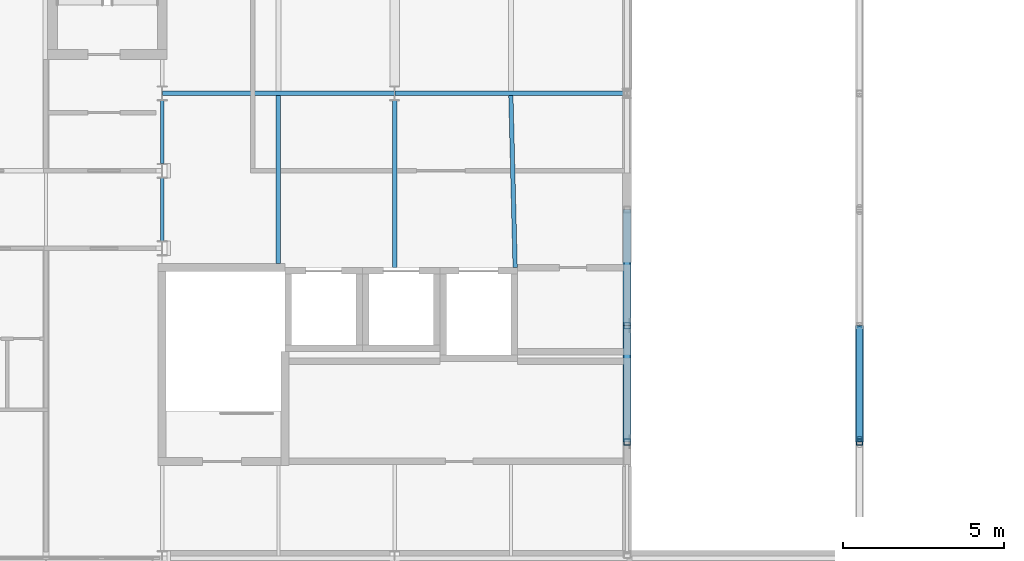
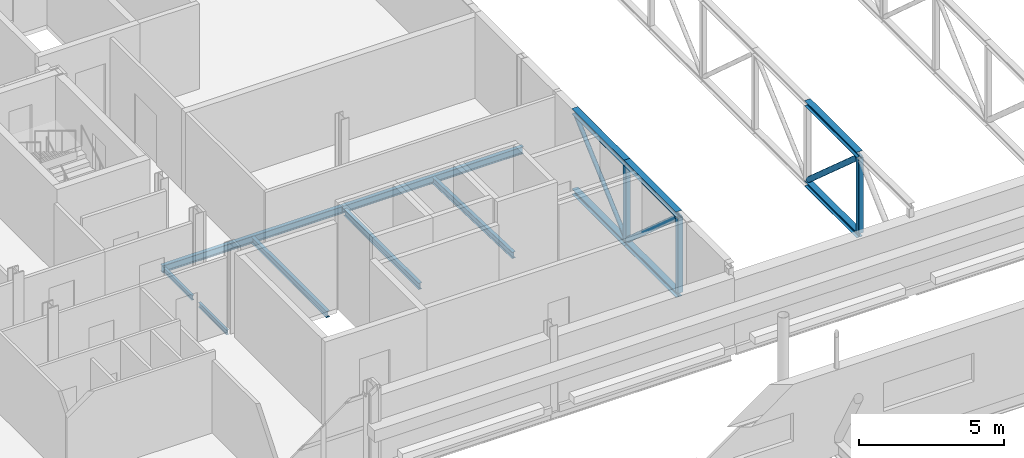
# One storey, part 73 of 142: 12 members, 7 beams.
"""IFC4 building model written with IfcOpenShell, lengths in metres."""

import ifcopenshell
import ifcopenshell.guid

model = None  # the IFC model being written
_history = None  # IfcOwnerHistory: only IFC2X3 demands one
_inside = {}  # id of a spatial element -> (the spatial element, [elements in it])
_under = {}  # id of a project, library or spatial element -> (it, [spatial elements below it])
_declared = {}  # id of a project -> (the project, [libraries it declares])
_typed = {}  # id of a type object -> (the type object, [elements of that type])
_made_of = {}  # id of a material, layer set ... -> (it, [elements and type objects made of it])


def new_model(schema):
    """Start an empty IFC model of exactly this schema.

    Asked for "IFC4X3", IfcOpenShell would pick the latest addendum, in which some entities
    have other attributes; the version numbers below select the first issue.
    IFC2X3 requires an IfcOwnerHistory on every rooted entity: one is made here for all.
    """
    global model, _history
    if schema == "IFC4X3":
        model = ifcopenshell.file(schema_version=(4, 3, 0, 0))
    else:
        model = ifcopenshell.file(schema=schema)
    _inside.clear()
    _under.clear()
    _declared.clear()
    _typed.clear()
    _made_of.clear()
    _history = None
    if model.schema == "IFC2X3":
        org = make("IfcOrganization", Name="unknown")
        user = make(
            "IfcPersonAndOrganization",
            ThePerson=make("IfcPerson", FamilyName="unknown"),
            TheOrganization=org,
        )
        app = make(
            "IfcApplication",
            ApplicationDeveloper=org,
            Version="unknown",
            ApplicationFullName="unknown",
            ApplicationIdentifier="unknown",
        )
        _history = make(
            "IfcOwnerHistory",
            OwningUser=user,
            OwningApplication=app,
            ChangeAction="ADDED",
            CreationDate=0,
        )
    return model


def make(cls, **values):
    """One entity of the class cls with the attributes given. An attribute that is None is left unset."""
    return model.create_entity(
        cls, **{name: value for name, value in values.items() if value is not None}
    )


def rooted(cls, **values):
    """An entity with a GlobalId (a new one), such as an element, a storey or a relation."""
    return make(cls, GlobalId=ifcopenshell.guid.new(), OwnerHistory=_history, **values)


def si_unit(unit_type, name, prefix=None):
    """IfcSIUnit, for example si_unit("LENGTHUNIT", "METRE", prefix="MILLI")."""
    return make("IfcSIUnit", UnitType=unit_type, Prefix=prefix, Name=name)


def assignment(units):
    """IfcUnitAssignment: the units of a project."""
    return None if units is None else make("IfcUnitAssignment", Units=units)


def point(xyz):
    """IfcCartesianPoint."""
    return None if xyz is None else make("IfcCartesianPoint", Coordinates=xyz)


def direction(xyz):
    """IfcDirection."""
    return None if xyz is None else make("IfcDirection", DirectionRatios=xyz)


def frame(location, z_axis=None, x_axis=None):
    """IfcAxis2Placement3D, a coordinate frame: its origin and axes. An axis left out is left unset."""
    return make(
        "IfcAxis2Placement3D",
        Location=point(location),
        Axis=direction(z_axis),
        RefDirection=direction(x_axis),
    )


def frame_2d(location, x_axis=None):
    """IfcAxis2Placement2D, a coordinate frame in the plane: its origin and x axis."""
    return make(
        "IfcAxis2Placement2D", Location=point(location), RefDirection=direction(x_axis)
    )


def origin():
    """The frame at (0, 0, 0) with its axes left unset."""
    return frame((0.0, 0.0, 0.0))


def origin_2d():
    """The frame at (0, 0) in the plane with its x axis left unset."""
    return frame_2d((0.0, 0.0))


def place(relative_to, where):
    """IfcLocalPlacement: puts the frame where relative to a parent placement (None: the world)."""
    return make(
        "IfcLocalPlacement", PlacementRelTo=relative_to, RelativePlacement=where
    )


def context(
    kind, dimensions, precision=None, world=None, true_north=None, identifier=None
):
    """IfcGeometricRepresentationContext, for example the 3D "Model" context."""
    return make(
        "IfcGeometricRepresentationContext",
        ContextIdentifier=identifier,
        ContextType=kind,
        CoordinateSpaceDimension=dimensions,
        Precision=precision,
        WorldCoordinateSystem=world,
        TrueNorth=true_north,
    )


def subcontext(parent, identifier, kind, view, scale=None):
    """IfcGeometricRepresentationSubContext, for example "Body" below "Model"."""
    return make(
        "IfcGeometricRepresentationSubContext",
        ContextIdentifier=identifier,
        ContextType=kind,
        ParentContext=parent,
        TargetScale=scale,
        TargetView=view,
    )


def project(units=None, contexts=None):
    """IfcProject with its units and contexts."""
    return rooted(
        "IfcProject",
        Name="project",
        RepresentationContexts=contexts,
        UnitsInContext=assignment(units),
    )


def spatial(cls, under=None, at=None, **own):
    """A site, building, storey or space (cls), placed at a placement, below another one or the project."""
    s = rooted(cls, ObjectPlacement=at, **own)
    if under is not None:
        _under.setdefault(under.id(), (under, []))[1].append(s)
    return s


def profile(cls, at=None, kind="AREA", **sizes):
    """A parametric profile (cls). Its sizes go by their IFC names, for example OverallWidth=200.0."""
    return make(cls, ProfileType=kind, Position=at, **sizes)


def hollow_rectangle(**sizes):
    """IfcRectangleHollowProfileDef."""
    return profile("IfcRectangleHollowProfileDef", **sizes)


def hollow_circle(**sizes):
    """IfcCircleHollowProfileDef."""
    return profile("IfcCircleHollowProfileDef", **sizes)


def i_section(**sizes):
    """IfcIShapeProfileDef."""
    return profile("IfcIShapeProfileDef", **sizes)


def extrude(swept, where, along, depth):
    """IfcExtrudedAreaSolid: the profile swept, set in the frame where, extruded along a direction by depth."""
    return make(
        "IfcExtrudedAreaSolid",
        SweptArea=swept,
        Position=where,
        ExtrudedDirection=direction(along),
        Depth=depth,
    )


def shape(context_of_items, identifier, shape_type, items):
    """IfcShapeRepresentation: the items that make up one representation, for example the "Body"."""
    return make(
        "IfcShapeRepresentation",
        ContextOfItems=context_of_items,
        RepresentationIdentifier=identifier,
        RepresentationType=shape_type,
        Items=items,
    )


def material(Name=None, Category=None):
    """IfcMaterial."""
    return make("IfcMaterial", Name=Name, Category=Category)


def material_profile(
    of_material, cross_section, Name=None, Category=None, Priority=None
):
    """IfcMaterialProfile: a cross section and its material."""
    return make(
        "IfcMaterialProfile",
        Name=Name,
        Material=of_material,
        Profile=cross_section,
        Priority=Priority,
        Category=Category,
    )


def profile_set(profiles, Name=None, composite=None):
    """IfcMaterialProfileSet."""
    return make(
        "IfcMaterialProfileSet",
        Name=Name,
        MaterialProfiles=profiles,
        CompositeProfile=composite,
    )


def made_of(thing, what):
    """Note that an element or type object is made of a material, layer set ...; save() writes the relation."""
    if what is not None:
        _made_of.setdefault(what.id(), (what, []))[1].append(thing)
    return thing


def type_object(cls, material=None, **own):
    """A type object (cls), such as IfcWallType, which elements share."""
    return made_of(rooted(cls, **own), material)


def element(
    cls,
    number,
    at=None,
    inside=None,
    cuts=None,
    type_object=None,
    material=None,
    context=None,
    identifier="Body",
    shape_type=None,
    held_by="IfcProductDefinitionShape",
    body=None,
    shapes=None,
    **own,
):
    """One element of the class cls, such as IfcWall. Its Tag is "e" and its number.

    at: its placement. inside: the storey or other place that contains it. cuts: it is an
    opening in that element (IfcRelVoidsElement). A single representation is given by context,
    identifier, shape_type and body (its items); several are given by shapes. held_by: the class
    of the entity that holds the representations. save() writes the other relations.
    """
    e = rooted(cls, Tag="e%d" % number, ObjectPlacement=at, **own)
    if body is not None:
        shapes = [shape(context, identifier, shape_type, body)]
    if shapes is not None:
        e.Representation = make(held_by, Representations=shapes)
    if inside is not None:
        _inside.setdefault(inside.id(), (inside, []))[1].append(e)
    if cuts is not None:
        rooted(
            "IfcRelVoidsElement", RelatingBuildingElement=cuts, RelatedOpeningElement=e
        )
    if type_object is not None:
        _typed.setdefault(type_object.id(), (type_object, []))[1].append(e)
    return made_of(e, material)


def aggregate(whole, parts):
    """IfcRelAggregates: a whole, such as a stair, and the parts it consists of."""
    return rooted("IfcRelAggregates", RelatingObject=whole, RelatedObjects=parts)


def save(model, path):
    """Write the relations noted so far, then the file.

    IfcRelAggregates (storeys below a building ...), IfcRelContainedInSpatialStructure (elements
    in a storey), IfcRelDefinesByType, IfcRelAssociatesMaterial and IfcRelDeclares: one each for
    every whole, place, type object, material and project.
    """
    for whole, parts in _under.values():
        aggregate(whole, parts)
    for where, things in _inside.values():
        rooted(
            "IfcRelContainedInSpatialStructure",
            RelatedElements=things,
            RelatingStructure=where,
        )
    for kind, things in _typed.values():
        rooted("IfcRelDefinesByType", RelatedObjects=things, RelatingType=kind)
    for what, things in _made_of.values():
        rooted("IfcRelAssociatesMaterial", RelatedObjects=things, RelatingMaterial=what)
    for by, libraries in _declared.values():
        rooted("IfcRelDeclares", RelatingContext=by, RelatedDefinitions=libraries)
    model.write(path)


model = new_model("IFC4")

# Units and contexts
model_context = context("Model", 3, precision=1e-05, world=origin(), true_north=direction((0.0, 1.0)))
body_context = subcontext(model_context, "Body", "Model", "MODEL_VIEW")
ifc_project = project(units=[si_unit("LENGTHUNIT", "METRE"), si_unit("AREAUNIT", "SQUARE_METRE"), si_unit("VOLUMEUNIT", "CUBIC_METRE"), si_unit("PLANEANGLEUNIT", "RADIAN"), si_unit("MASSUNIT", "GRAM", prefix="KILO")], contexts=[model_context])

# Site, building, storey
site_placement = place(None, origin())
site = spatial("IfcSite", under=ifc_project, at=site_placement, CompositionType="ELEMENT")
building_placement = place(site_placement, origin())
building = spatial("IfcBuilding", under=site, at=building_placement, Name="Kupolbacken Congress Centre", CompositionType="ELEMENT")
storey_placement = place(building_placement, frame((0.0, 0.0, 14.39990234375)))
storey = spatial("IfcBuildingStorey", under=building, at=storey_placement, Name="L04", CompositionType="ELEMENT", Elevation=14.39990234375)

# Beams
ifc_material_1 = material(Name="Steel S355", Category="steel")
ifc_material_profile_1 = material_profile(ifc_material_1, i_section(OverallWidth=0.10009765625, OverallDepth=0.199951171875, WebThickness=0.005615234375, FlangeThickness=0.008544921875, FilletRadius=0.011962890625, at=origin_2d()), Name="IPE 200")
ifc_profile_set_1 = profile_set([ifc_material_profile_1], Name="Steel S355")
beam_type_1 = type_object("IfcBeamType", Name="B01 beam IPE 200", PredefinedType="BEAM", material=ifc_profile_set_1)
for number, where, z_axis, x_axis, name in (
    (1, (136.800048828125, 132.22509765625, -0.239990234375), (0.0, 1.0, 0.0), (-1.0, 0.0, 0.0), "S/floor/T/L04/S077"),
    (2, (136.800048828125, 134.625, -0.239990234375), (0.0, 1.0, 0.0), (-1.0, 0.0, 0.0), "S/floor/T/L04/S078"),
):
    element("IfcBeam", number, at=place(storey_placement, frame(where, z_axis=z_axis, x_axis=x_axis)), inside=storey, type_object=beam_type_1, Name=name, PredefinedType="BEAM", context=body_context, shape_type="SweptSolid", body=[
        extrude(i_section(OverallWidth=0.10009765625, OverallDepth=0.199951171875, WebThickness=0.005615234375, FlangeThickness=0.008544921875, FilletRadius=0.011962890625, at=origin_2d()), origin(), (0.0, 0.0, 1.0), 1.949951171875),
    ])
ifc_material_2 = material(Name="Steel S355", Category="steel")
ifc_material_profile_2 = material_profile(ifc_material_2, i_section(OverallWidth=0.135009765625, OverallDepth=0.27001953125, WebThickness=0.006591796875, FlangeThickness=0.01025390625, FilletRadius=0.014892578125, at=origin_2d()), Name="IPE 270")
ifc_profile_set_2 = profile_set([ifc_material_profile_2], Name="Steel S355")
beam_type_2 = type_object("IfcBeamType", Name="B03 beam IPE 270", PredefinedType="BEAM", material=ifc_profile_set_2)
beam_1_placement = place(storey_placement, frame((144.0, 131.39990234375, -0.31494140625), z_axis=(0.0, 1.0, 0.0), x_axis=(-1.0, 0.0, 0.0)))
element("IfcBeam", 3, at=beam_1_placement, inside=storey, type_object=beam_type_2, Name="S/floor/BF/L04/G003", PredefinedType="BEAM", context=body_context, shape_type="SweptSolid", body=[
    extrude(i_section(OverallWidth=0.135009765625, OverallDepth=0.27001953125, WebThickness=0.006591796875, FlangeThickness=0.01025390625, FilletRadius=0.014892578125, at=origin_2d()), origin(), (0.0, 0.0, 1.0), 5.175048828125),
])
beam_2_placement = place(storey_placement, frame((140.39990234375, 131.52490234375, -0.31494140625), z_axis=(0.0, 1.0, 0.0), x_axis=(-1.0, 0.0, 0.0)))
element("IfcBeam", 4, at=beam_2_placement, inside=storey, type_object=beam_type_2, Name="S/floor/BF/L04/S017", PredefinedType="BEAM", context=body_context, shape_type="SweptSolid", body=[
    extrude(i_section(OverallWidth=0.135009765625, OverallDepth=0.27001953125, WebThickness=0.006591796875, FlangeThickness=0.01025390625, FilletRadius=0.014892578125, at=origin_2d()), origin(), (0.0, 0.0, 1.0), 5.2001953125),
])
beam_3_placement = place(storey_placement, frame((147.732666015625, 131.39990234375, -0.31494140625), z_axis=(-0.02488684298, 0.999690274558, 0.0), x_axis=(-0.999690274558, -0.02488684298, 0.0)))
element("IfcBeam", 5, at=beam_3_placement, inside=storey, type_object=beam_type_2, Name="S/floor/BF/L04/S021", PredefinedType="BEAM", context=body_context, shape_type="SweptSolid", body=[
    extrude(i_section(OverallWidth=0.135009765625, OverallDepth=0.27001953125, WebThickness=0.006591796875, FlangeThickness=0.01025390625, FilletRadius=0.014892578125, at=origin_2d()), origin(), (0.0, 0.0, 1.0), 5.326904296875),
])
ifc_material_3 = material(Name="Steel S355", Category="steel")
ifc_material_profile_3 = material_profile(ifc_material_3, i_section(OverallWidth=0.14990234375, OverallDepth=0.300048828125, WebThickness=0.007080078125, FlangeThickness=0.0107421875, FilletRadius=0.014892578125, at=origin_2d()), Name="IPE 300")
ifc_profile_set_3 = profile_set([ifc_material_profile_3], Name="Steel S355")
beam_type_3 = type_object("IfcBeamType", Name="B04 beam IPE 300", PredefinedType="BEAM", material=ifc_profile_set_3)
beam_4_placement = place(storey_placement, frame((136.806884765625, 136.800048828125, -0.329833984375), z_axis=(1.0, 0.0, 0.0), x_axis=(0.0, 1.0, 0.0)))
element("IfcBeam", 6, at=beam_4_placement, inside=storey, type_object=beam_type_3, Name="S/floor/BF/L04/R010", PredefinedType="BEAM", context=body_context, shape_type="SweptSolid", body=[
    extrude(i_section(OverallWidth=0.14990234375, OverallDepth=0.300048828125, WebThickness=0.007080078125, FlangeThickness=0.0107421875, FilletRadius=0.014892578125, at=origin_2d()), origin(), (0.0, 0.0, 1.0), 7.18603515625),
])
beam_5_placement = place(storey_placement, frame((144.007080078125, 136.800048828125, -0.329833984375), z_axis=(1.0, 0.0, 0.0), x_axis=(0.0, 1.0, 0.0)))
element("IfcBeam", 7, at=beam_5_placement, inside=storey, type_object=beam_type_3, Name="S/floor/BF/L04/R011", PredefinedType="BEAM", context=body_context, shape_type="SweptSolid", body=[
    extrude(i_section(OverallWidth=0.14990234375, OverallDepth=0.300048828125, WebThickness=0.007080078125, FlangeThickness=0.0107421875, FilletRadius=0.014892578125, at=origin_2d()), origin(), (0.0, 0.0, 1.0), 7.1875),
])

# Members
ifc_material_4 = material(Name="Steel S355", Category="steel")
ifc_material_profile_4 = material_profile(ifc_material_4, hollow_circle(Radius=0.109619140625, WallThickness=0.010009765625, at=origin_2d()), Name="CHS 219.1 x 10")
ifc_profile_set_4 = profile_set([ifc_material_profile_4], Name="Steel S355")
member_type_1 = type_object("IfcMemberType", Name="M05 transfer truss web CHS 219.1 x 10", PredefinedType="BRACE", material=ifc_profile_set_4)
for number, where, z_axis, x_axis, name in (
    (8, (151.199951171875, 126.10009765625, 3.2998046875), (0.0, 0.748813846758, -0.662780373053), (-1.0, 0.0, 0.0), "BT/B1/D02"),
    (9, (158.39990234375, 126.10009765625, 3.2998046875), (0.0, 0.748813846758, -0.662780373053), (-1.0, 0.0, 0.0), "BT/B2/D02"),
):
    element("IfcMember", number, at=place(storey_placement, frame(where, z_axis=z_axis, x_axis=x_axis)), inside=storey, type_object=member_type_1, Name=name, PredefinedType="BRACE", context=body_context, shape_type="SweptSolid", body=[
        extrude(hollow_circle(Radius=0.109619140625, WallThickness=0.010009765625, at=origin_2d()), origin(), (0.0, 0.0, 1.0), 4.540283203125),
    ])
ifc_material_5 = material(Name="Steel S355", Category="steel")
ifc_material_profile_5 = material_profile(ifc_material_5, hollow_circle(Radius=0.084228515625, WallThickness=0.008056640625, at=origin_2d()), Name="CHS 168.3 x 8")
ifc_profile_set_5 = profile_set([ifc_material_profile_5], Name="Steel S355")
member_type_2 = type_object("IfcMemberType", Name="M06 transfer truss web CHS 168.3 x 8", PredefinedType="BRACE", material=ifc_profile_set_5)
member_placement = place(storey_placement, frame((151.199951171875, 129.699951171875, 0.271728515625), z_axis=(0.0, 0.744762797892, 0.667329285193), x_axis=(-1.0, 0.0, 0.0)))
element("IfcMember", 10, at=member_placement, inside=storey, type_object=member_type_2, Name="BT/B1/D03", PredefinedType="BRACE", context=body_context, shape_type="SweptSolid", body=[
    extrude(hollow_circle(Radius=0.084228515625, WallThickness=0.008056640625, at=origin_2d()), origin(), (0.0, 0.0, 1.0), 4.5654296875),
])
ifc_material_6 = material(Name="Steel S355", Category="steel")
ifc_material_profile_6 = material_profile(ifc_material_6, i_section(OverallWidth=0.239990234375, OverallDepth=0.22998046875, WebThickness=0.007568359375, FlangeThickness=0.011962890625, FilletRadius=0.02099609375, at=origin_2d()), Name="HEA 240")
ifc_profile_set_6 = profile_set([ifc_material_profile_6], Name="Steel S355")
member_type_3 = type_object("IfcMemberType", Name="M07 transfer truss chord HEA 240", PredefinedType="CHORD", material=ifc_profile_set_6)
for number, where, z_axis, x_axis, name in (
    (11, (151.199951171875, 126.0, 0.10498046875), (0.0, 1.0, 0.0), (-1.0, 0.0, 0.0), "BT/B1/BC02"),
    (12, (151.199951171875, 126.0, 3.485107421875), (0.0, 1.0, 0.0), (-1.0, 0.0, 0.0), "BT/B1/TC02"),
):
    element("IfcMember", number, at=place(storey_placement, frame(where, z_axis=z_axis, x_axis=x_axis)), inside=storey, type_object=member_type_3, Name=name, PredefinedType="CHORD", context=body_context, shape_type="SweptSolid", body=[
        extrude(i_section(OverallWidth=0.239990234375, OverallDepth=0.22998046875, WebThickness=0.007568359375, FlangeThickness=0.011962890625, FilletRadius=0.02099609375, at=origin_2d()), origin(), (0.0, 0.0, 1.0), 3.60009765625),
    ])
for number, where, z_axis, x_axis, name in (
    (13, (151.199951171875, 129.60009765625, 0.10498046875), (0.0, 1.0, 0.0), (-1.0, 0.0, 0.0), "BT/B1/BC03"),
    (14, (151.199951171875, 129.60009765625, 3.485107421875), (0.0, 1.0, 0.0), (-1.0, 0.0, 0.0), "BT/B1/TC03"),
):
    element("IfcMember", number, at=place(storey_placement, frame(where, z_axis=z_axis, x_axis=x_axis)), inside=storey, type_object=member_type_3, Name=name, PredefinedType="CHORD", context=body_context, shape_type="SweptSolid", body=[
        extrude(i_section(OverallWidth=0.239990234375, OverallDepth=0.22998046875, WebThickness=0.007568359375, FlangeThickness=0.011962890625, FilletRadius=0.02099609375, at=origin_2d()), origin(), (0.0, 0.0, 1.0), 3.599853515625),
    ])
for number, where, z_axis, x_axis, name in (
    (15, (158.39990234375, 126.0, 0.10498046875), (0.0, 1.0, 0.0), (-1.0, 0.0, 0.0), "BT/B2/BC02"),
    (16, (158.39990234375, 126.0, 3.485107421875), (0.0, 1.0, 0.0), (-1.0, 0.0, 0.0), "BT/B2/TC02"),
):
    element("IfcMember", number, at=place(storey_placement, frame(where, z_axis=z_axis, x_axis=x_axis)), inside=storey, type_object=member_type_3, Name=name, PredefinedType="CHORD", context=body_context, shape_type="SweptSolid", body=[
        extrude(i_section(OverallWidth=0.239990234375, OverallDepth=0.22998046875, WebThickness=0.007568359375, FlangeThickness=0.011962890625, FilletRadius=0.02099609375, at=origin_2d()), origin(), (0.0, 0.0, 1.0), 3.60009765625),
    ])
ifc_material_7 = material(Name="Steel S355", Category="steel")
ifc_material_profile_7 = material_profile(ifc_material_7, hollow_rectangle(XDim=0.199951171875, YDim=0.199951171875, WallThickness=0.010009765625, InnerFilletRadius=0.010009765625, OuterFilletRadius=0.014892578125, at=origin_2d()), Name="SHS 200 x 200 x 10")
ifc_profile_set_7 = profile_set([ifc_material_profile_7], Name="Steel S355")
member_type_4 = type_object("IfcMemberType", Name="M10 transfer truss post SHS 200 x 200 x 10", PredefinedType="STRUT", material=ifc_profile_set_7)
for number, where, z_axis, x_axis, name in (
    (17, (151.199951171875, 126.0, 0.210205078125), (0.0, 0.0, 1.0), (0.0, 1.0, 0.0), "BT/B1/P01"),
    (18, (151.199951171875, 129.60009765625, 0.210205078125), (0.0, 0.0, 1.0), (0.0, 1.0, 0.0), "BT/B1/P02"),
    (19, (158.39990234375, 126.0, 0.210205078125), (0.0, 0.0, 1.0), (0.0, 1.0, 0.0), "BT/B2/P01"),
):
    element("IfcMember", number, at=place(storey_placement, frame(where, z_axis=z_axis, x_axis=x_axis)), inside=storey, type_object=member_type_4, Name=name, PredefinedType="STRUT", context=body_context, shape_type="SweptSolid", body=[
        extrude(hollow_rectangle(XDim=0.199951171875, YDim=0.199951171875, WallThickness=0.010009765625, InnerFilletRadius=0.010009765625, OuterFilletRadius=0.014892578125, at=origin_2d()), origin(), (0.0, 0.0, 1.0), 3.169921875),
    ])

save(model, "model.ifc")
